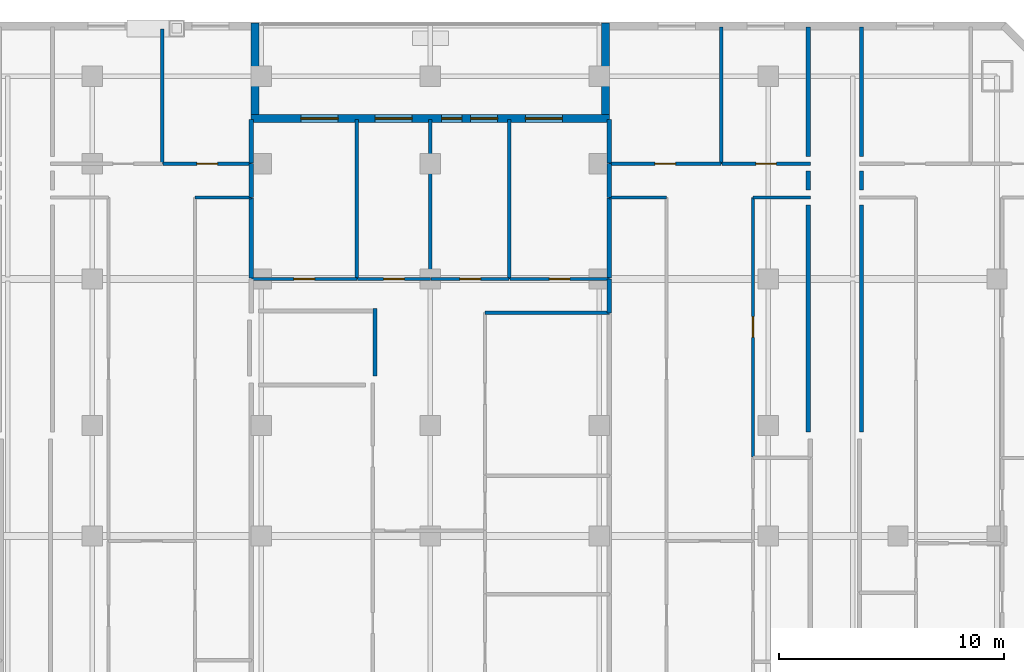
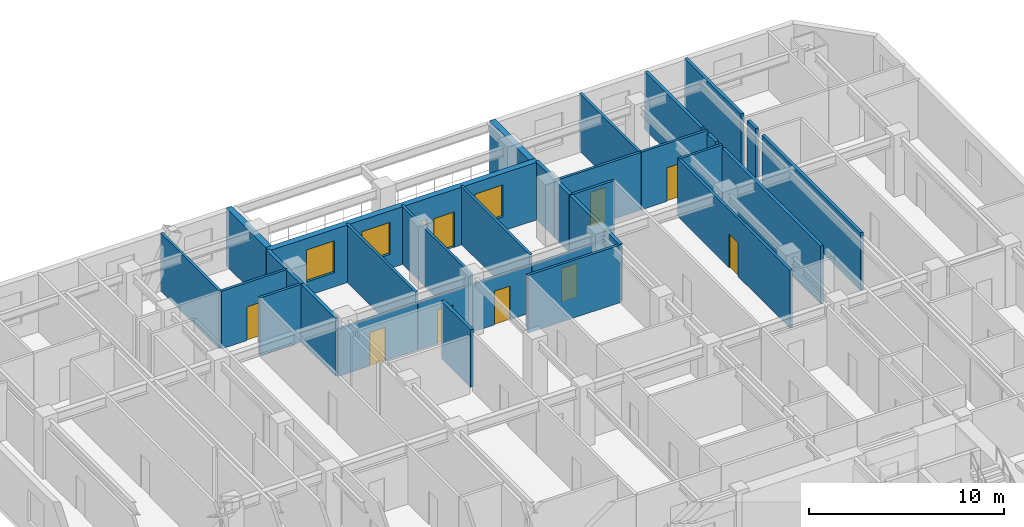
# One storey, part 8 of 10: 34 walls, 9 doors, 4 windows, 13 openings.
"""IFC4 building model written with IfcOpenShell, lengths in metres."""

from ifc_helpers import new_model, si_unit, direction, frame, frame_2d, origin, place, context, subcontext, project, spatial, rectangle, extrude, material, layer, layer_set, type_object, element, fill, save


model = new_model("IFC4")

# Units and contexts
model_context = context("Model", 3, precision=1e-05, world=origin(), true_north=direction((0.0, 1.0)))
body_context = subcontext(model_context, "Body", "Model", "MODEL_VIEW")
ifc_project = project(units=[si_unit("LENGTHUNIT", "METRE"), si_unit("AREAUNIT", "SQUARE_METRE"), si_unit("VOLUMEUNIT", "CUBIC_METRE"), si_unit("PLANEANGLEUNIT", "RADIAN"), si_unit("MASSUNIT", "GRAM", prefix="KILO")], contexts=[model_context])

# Site, building, storey
site_placement = place(None, origin())
site = spatial("IfcSite", under=ifc_project, at=site_placement, CompositionType="ELEMENT")
building_placement = place(site_placement, origin())
building = spatial("IfcBuilding", under=site, at=building_placement, Name="Ventersveld Concourse Tower", CompositionType="ELEMENT")
storey_placement = place(building_placement, frame((0.0, 0.0, 64.449951171875)))
storey = spatial("IfcBuildingStorey", under=building, at=storey_placement, Name="L15", CompositionType="ELEMENT", Elevation=64.449951171875)

# Walls
ifc_material_1 = material(Name="Fire-rated autoclaved aerated masonry blockwork", Category="masonry")
ifc_layer_1 = layer(ifc_material_1, 0.179931640625)
ifc_layer_set_1 = layer_set([ifc_layer_1], Name="Fire-rated autoclaved aerated masonry blockwork")
wall_type_1 = type_object("IfcWallType", Name="WL-CORR-180", PredefinedType="PARTITIONING", material=ifc_layer_set_1)
wall_1_placement = place(storey_placement, frame((47.8798828125, 38.945068359375, 0.0), z_axis=(0.0, 0.0, 1.0), x_axis=(0.0, 1.0, 0.0)))
element("IfcWall", 1, at=wall_1_placement, inside=storey, type_object=wall_type_1, Name="L15 Room Enclosure Wall SP-L15-15NE-LIV", PredefinedType="PARTITIONING", context=body_context, shape_type="SweptSolid", body=[
    extrude(rectangle(XDim=0.849853515625, YDim=0.179931640625, at=frame_2d((0.4248046875, 0.0))), origin(), (0.0, 0.0, 1.0), 3.60009765625),
])
wall_2_placement = place(storey_placement, frame((47.8798828125, 28.2099609375, 0.0), z_axis=(0.0, 0.0, 1.0), x_axis=(0.0, 1.0, 0.0)))
element("IfcWall", 2, at=wall_2_placement, inside=storey, type_object=wall_type_1, Name="L15 Room Enclosure Wall SP-L15-15NE-DENL", PredefinedType="PARTITIONING", context=body_context, shape_type="SweptSolid", body=[
    extrude(rectangle(XDim=10.0849609375, YDim=0.179931640625, at=frame_2d((5.04248046875, 0.0))), origin(), (0.0, 0.0, 1.0), 3.60009765625),
])
wall_3_placement = place(storey_placement, frame((47.8798828125, 40.445068359375, 0.0), z_axis=(0.0, 0.0, 1.0), x_axis=(0.0, 1.0, 0.0)))
element("IfcWall", 3, at=wall_3_placement, inside=storey, type_object=wall_type_1, Name="L15 Room Enclosure Wall SP-L15-15NE-BR1", PredefinedType="PARTITIONING", context=body_context, shape_type="SweptSolid", body=[
    extrude(rectangle(XDim=5.744873046875, YDim=0.179931640625, at=frame_2d((2.87255859375, 0.0))), origin(), (0.0, 0.0, 1.0), 3.60009765625),
])
wall_4_placement = place(storey_placement, frame((45.52001953125, 39.794921875, 0.0), z_axis=(0.0, 0.0, 1.0), x_axis=(0.0, -1.0, 0.0)))
element("IfcWall", 4, at=wall_4_placement, inside=storey, type_object=wall_type_1, Name="L15 Room Enclosure Wall SP-L15-15CE-LIV", PredefinedType="PARTITIONING", context=body_context, shape_type="SweptSolid", body=[
    extrude(rectangle(XDim=0.849853515625, YDim=0.179931640625, at=frame_2d((0.4248046875, 0.0))), origin(), (0.0, 0.0, 1.0), 3.60009765625),
])
wall_5_placement = place(storey_placement, frame((45.52001953125, 38.294921875, 0.0), z_axis=(0.0, 0.0, 1.0), x_axis=(0.0, -1.0, 0.0)))
element("IfcWall", 5, at=wall_5_placement, inside=storey, type_object=wall_type_1, Name="L15 Room Enclosure Wall SP-L15-15CE-DENS", PredefinedType="PARTITIONING", context=body_context, shape_type="SweptSolid", body=[
    extrude(rectangle(XDim=10.0849609375, YDim=0.179931640625, at=frame_2d((5.04248046875, 0.0))), origin(), (0.0, 0.0, 1.0), 3.60009765625),
])
wall_6_placement = place(storey_placement, frame((45.52001953125, 46.18994140625, 0.0), z_axis=(0.0, 0.0, 1.0), x_axis=(0.0, -1.0, 0.0)))
element("IfcWall", 6, at=wall_6_placement, inside=storey, type_object=wall_type_1, Name="L15 Room Enclosure Wall SP-L15-15CE-BR2", PredefinedType="PARTITIONING", context=body_context, shape_type="SweptSolid", body=[
    extrude(rectangle(XDim=5.744873046875, YDim=0.179931640625, at=frame_2d((2.87255859375, 0.0))), origin(), (0.0, 0.0, 1.0), 3.60009765625),
])
wall_7_placement = place(storey_placement, frame((26.28466796875, 30.7021484375, 0.0), z_axis=(0.0, 0.0, 1.0), x_axis=(0.0, 1.0, 0.0)))
element("IfcWall", 7, at=wall_7_placement, inside=storey, type_object=wall_type_1, Name="L15 Room Enclosure Wall SP-L15-15CM-LIV", PredefinedType="PARTITIONING", context=body_context, shape_type="SweptSolid", body=[
    extrude(rectangle(XDim=2.98291015625, YDim=0.179931640625, at=frame_2d((1.491455078125, 0.0))), origin(), (0.0, 0.0, 1.0), 3.60009765625),
])
ifc_layer_2 = layer(ifc_material_1, 0.199951171875)
ifc_layer_set_2 = layer_set([ifc_layer_2], Name="Fire-rated autoclaved aerated masonry blockwork")
wall_type_2 = type_object("IfcWallType", Name="WL-DEMISE-200", PredefinedType="PARTITIONING", material=ifc_layer_set_2)
wall_8_placement = place(storey_placement, frame((20.81005859375, 38.614990234375, 0.0), z_axis=(0.0, 0.0, 1.0), x_axis=(0.0, 1.0, 0.0)))
element("IfcWall", 8, at=wall_8_placement, inside=storey, type_object=wall_type_2, Name="L15 Interior Partition SP-L15-15CW-LIV-SP-L15-15CM-BR1", PredefinedType="PARTITIONING", context=body_context, shape_type="SweptSolid", body=[
    extrude(rectangle(XDim=1.510009765625, YDim=0.199951171875, at=frame_2d((0.7548828125, 0.0))), origin(), (0.0, 0.0, 1.0), 3.60009765625),
])
wall_9_placement = place(storey_placement, frame((20.81005859375, 35.034912109375, 0.0), z_axis=(0.0, 0.0, 1.0), x_axis=(0.0, 1.0, 0.0)))
element("IfcWall", 9, at=wall_9_placement, inside=storey, type_object=wall_type_2, Name="L15 Interior Partition SP-L15-15CW-DENR-SP-L15-15CM-BR1", PredefinedType="PARTITIONING", context=body_context, shape_type="SweptSolid", body=[
    extrude(rectangle(XDim=3.550048828125, YDim=0.199951171875, at=frame_2d((1.77490234375, 0.0))), origin(), (0.0, 0.0, 1.0), 3.60009765625),
])
wall_10_placement = place(storey_placement, frame((20.81005859375, 40.155029296875, 0.0), z_axis=(0.0, 0.0, 1.0), x_axis=(0.0, 1.0, 0.0)))
element("IfcWall", 10, at=wall_10_placement, inside=storey, type_object=wall_type_2, Name="L15 Interior Partition SP-L15-15CW-BR2-SP-L15-15CM-BR1", PredefinedType="PARTITIONING", context=body_context, shape_type="SweptSolid", body=[
    extrude(rectangle(XDim=1.93505859375, YDim=0.199951171875, at=frame_2d((0.967529296875, 0.0))), origin(), (0.0, 0.0, 1.0), 3.60009765625),
])
wall_11_placement = place(storey_placement, frame((36.68994140625, 38.614990234375, 0.0), z_axis=(0.0, 0.0, 1.0), x_axis=(0.0, 1.0, 0.0)))
element("IfcWall", 11, at=wall_11_placement, inside=storey, type_object=wall_type_2, Name="L15 Interior Partition SP-L15-15CE-LIV-SP-L15-15CM-BR4", PredefinedType="PARTITIONING", context=body_context, shape_type="SweptSolid", body=[
    extrude(rectangle(XDim=1.510009765625, YDim=0.199951171875, at=frame_2d((0.7548828125, 0.0))), origin(), (0.0, 0.0, 1.0), 3.60009765625),
])
wall_12_placement = place(storey_placement, frame((36.68994140625, 33.4951171875, 0.0), z_axis=(0.0, 0.0, 1.0), x_axis=(0.0, 1.0, 0.0)))
element("IfcWall", 12, at=wall_12_placement, inside=storey, type_object=wall_type_2, Name="L15 Interior Partition SP-L15-15CE-SEML0-SP-L15-15CM-LIV", PredefinedType="PARTITIONING", context=body_context, shape_type="SweptSolid", body=[
    extrude(rectangle(XDim=1.509765625, YDim=0.199951171875, at=frame_2d((0.7548828125, 0.0))), origin(), (0.0, 0.0, 1.0), 3.60009765625),
])
wall_13_placement = place(storey_placement, frame((36.68994140625, 35.034912109375, 0.0), z_axis=(0.0, 0.0, 1.0), x_axis=(0.0, 1.0, 0.0)))
element("IfcWall", 13, at=wall_13_placement, inside=storey, type_object=wall_type_2, Name="L15 Interior Partition SP-L15-15CE-SEML0-SP-L15-15CM-BR4", PredefinedType="PARTITIONING", context=body_context, shape_type="SweptSolid", body=[
    extrude(rectangle(XDim=3.550048828125, YDim=0.199951171875, at=frame_2d((1.77490234375, 0.0))), origin(), (0.0, 0.0, 1.0), 3.60009765625),
])
wall_14_placement = place(storey_placement, frame((36.68994140625, 40.155029296875, 0.0), z_axis=(0.0, 0.0, 1.0), x_axis=(0.0, 1.0, 0.0)))
element("IfcWall", 14, at=wall_14_placement, inside=storey, type_object=wall_type_2, Name="L15 Interior Partition SP-L15-15CE-BR1-SP-L15-15CM-BR4", PredefinedType="PARTITIONING", context=body_context, shape_type="SweptSolid", body=[
    extrude(rectangle(XDim=1.93505859375, YDim=0.199951171875, at=frame_2d((0.967529296875, 0.0))), origin(), (0.0, 0.0, 1.0), 3.60009765625),
])
ifc_material_2 = material(Name="Autoclaved aerated masonry blockwork", Category="masonry")
ifc_layer_3 = layer(ifc_material_2, 0.14990234375)
ifc_layer_set_3 = layer_set([ifc_layer_3], Name="Autoclaved aerated masonry blockwork")
wall_type_3 = type_object("IfcWallType", Name="WL-INT-150", PredefinedType="PARTITIONING", material=ifc_layer_set_3)
wall_15_placement = place(storey_placement, frame((18.301513671875, 38.6201171875, 0.0), z_axis=(0.0, 0.0, 1.0), x_axis=(1.0, 0.0, 0.0)))
element("IfcWall", 15, at=wall_15_placement, inside=storey, type_object=wall_type_3, Name="L15 Interior Partition SP-L15-15CW-LIV-SP-L15-15CW-DENR", PredefinedType="PARTITIONING", context=body_context, shape_type="SweptSolid", body=[
    extrude(rectangle(XDim=2.513427734375, YDim=0.14990234375, at=frame_2d((1.2568359375, 0.0))), origin(), (0.0, 0.0, 1.0), 3.60009765625),
])

# Wall, opening, door
wall_16_placement = place(storey_placement, frame((16.888427734375, 40.1201171875, 0.0), z_axis=(0.0, 0.0, 1.0), x_axis=(1.0, 0.0, 0.0)))
wall_16 = element("IfcWall", 16, at=wall_16_placement, inside=storey, type_object=wall_type_3, Name="L15 Interior Partition SP-L15-15CW-LIV-SP-L15-15CW-BR2", PredefinedType="PARTITIONING", context=body_context, shape_type="SweptSolid", body=[
    extrude(rectangle(XDim=3.926513671875, YDim=0.14990234375, at=frame_2d((1.96337890625, 0.0))), origin(), (0.0, 0.0, 1.0), 3.60009765625),
])
opening_1_placement = place(wall_16_placement, frame((1.50341796875, 0.0, 0.0)))
opening_1 = element("IfcOpeningElement", 17, at=opening_1_placement, cuts=wall_16, Name="Opening ID1", PredefinedType="OPENING", context=body_context, shape_type="SweptSolid", body=[
    extrude(rectangle(XDim=0.919921875, YDim=2.10009765625, at=frame_2d((0.4599609375, 1.050048828125))), frame((0.0, 0.0849609375, 0.0), z_axis=(0.0, -1.0, 0.0), x_axis=(1.0, 0.0, 0.0)), (0.0, 0.0, 1.0), 0.169921875),
])
ifc_material_3 = material(Name="Solid-core hardwood veneer timber", Category="wood")
door_type_1 = type_object("IfcDoorType", Name="DR-ROOM-092", OperationType="NOTDEFINED", PredefinedType="DOOR", material=ifc_material_3)
door_1_placement = place(opening_1_placement, origin())
door_1 = element("IfcDoor", 18, at=door_1_placement, inside=storey, type_object=door_type_1, Name="L15 Interior Door SP-L15-15CW-LIV to SP-L15-15CW-BR2 (D-L15-0691)", OperationType="SINGLE_SWING_LEFT", OverallHeight=2.10009765625, OverallWidth=0.919921875, PredefinedType="DOOR", context=body_context, shape_type="SweptSolid", body=[
    extrude(rectangle(XDim=0.919921875, YDim=2.10009765625, at=frame_2d((0.4599609375, 1.050048828125))), frame((0.0, 0.02490234375, 0.0), z_axis=(0.0, -1.0, 0.0), x_axis=(1.0, 0.0, 0.0)), (0.0, 0.0, 1.0), 0.050048828125),
])
fill(opening_1, door_1)

# Walls
wall_17_placement = place(storey_placement, frame((16.853515625, 40.114990234375, 0.0), z_axis=(0.0, 0.0, 1.0), x_axis=(0.0, 1.0, 0.0)))
element("IfcWall", 19, at=wall_17_placement, inside=storey, type_object=wall_type_3, Name="L15 Interior Partition SP-L15-15CW-BR1-SP-L15-15CW-BR2", PredefinedType="PARTITIONING", context=body_context, shape_type="SweptSolid", body=[
    extrude(rectangle(XDim=5.987060546875, YDim=0.14990234375, at=frame_2d((2.99365234375, 0.0))), origin(), (0.0, 0.0, 1.0), 3.60009765625),
])
wall_18_placement = place(storey_placement, frame((36.68505859375, 38.6201171875, 0.0), z_axis=(0.0, 0.0, 1.0), x_axis=(1.0, 0.0, 0.0)))
element("IfcWall", 20, at=wall_18_placement, inside=storey, type_object=wall_type_3, Name="L15 Interior Partition SP-L15-15CE-LIV-SP-L15-15CE-SEML0", PredefinedType="PARTITIONING", context=body_context, shape_type="SweptSolid", body=[
    extrude(rectangle(XDim=2.5498046875, YDim=0.14990234375, at=frame_2d((1.27490234375, 0.0))), origin(), (0.0, 0.0, 1.0), 3.60009765625),
])

# Wall, opening, door
wall_19_placement = place(storey_placement, frame((43.0703125, 27.107421875, 0.0), z_axis=(0.0, 0.0, 1.0), x_axis=(0.0, 1.0, 0.0)))
wall_19 = element("IfcWall", 21, at=wall_19_placement, inside=storey, type_object=wall_type_3, Name="L15 Interior Partition SP-L15-15CE-LIV-SP-L15-15CE-DENS", PredefinedType="PARTITIONING", context=body_context, shape_type="SweptSolid", body=[
    extrude(rectangle(XDim=11.517578125, YDim=0.14990234375, at=frame_2d((5.7587890625, 0.0))), origin(), (0.0, 0.0, 1.0), 3.60009765625),
])
opening_2_placement = place(wall_19_placement, frame((5.298828125, 0.0, 0.0)))
opening_2 = element("IfcOpeningElement", 22, at=opening_2_placement, cuts=wall_19, Name="Opening ID1", PredefinedType="OPENING", context=body_context, shape_type="SweptSolid", body=[
    extrude(rectangle(XDim=0.919921875, YDim=2.10009765625, at=frame_2d((0.4599609375, 1.050048828125))), frame((0.0, 0.0849609375, 0.0), z_axis=(0.0, -1.0, 0.0), x_axis=(1.0, 0.0, 0.0)), (0.0, 0.0, 1.0), 0.169921875),
])
door_2_placement = place(opening_2_placement, origin())
door_2 = element("IfcDoor", 23, at=door_2_placement, inside=storey, type_object=door_type_1, Name="L15 Interior Door SP-L15-15CE-LIV to SP-L15-15CE-DENS (D-L15-0699)", OperationType="SINGLE_SWING_LEFT", OverallHeight=2.10009765625, OverallWidth=0.919921875, PredefinedType="DOOR", context=body_context, shape_type="SweptSolid", body=[
    extrude(rectangle(XDim=0.919921875, YDim=2.10009765625, at=frame_2d((0.4599609375, 1.050048828125))), frame((0.0, 0.02490234375, 0.0), z_axis=(0.0, -1.0, 0.0), x_axis=(1.0, 0.0, 0.0)), (0.0, 0.0, 1.0), 0.050048828125),
])
fill(opening_2, door_2)

# Wall
wall_20_placement = place(storey_placement, frame((43.065185546875, 38.6201171875, 0.0), z_axis=(0.0, 0.0, 1.0), x_axis=(1.0, 0.0, 0.0)))
element("IfcWall", 24, at=wall_20_placement, inside=storey, type_object=wall_type_3, Name="L15 Interior Partition SP-L15-15CE-LIV-SP-L15-15CE-DENS", PredefinedType="PARTITIONING", context=body_context, shape_type="SweptSolid", body=[
    extrude(rectangle(XDim=2.5498046875, YDim=0.14990234375, at=frame_2d((1.27490234375, 0.0))), origin(), (0.0, 0.0, 1.0), 3.60009765625),
])

# Wall, opening, door
wall_21_placement = place(storey_placement, frame((36.68505859375, 40.1201171875, 0.0), z_axis=(0.0, 0.0, 1.0), x_axis=(1.0, 0.0, 0.0)))
wall_21 = element("IfcWall", 25, at=wall_21_placement, inside=storey, type_object=wall_type_3, Name="L15 Interior Partition SP-L15-15CE-LIV-SP-L15-15CE-BR1", PredefinedType="PARTITIONING", context=body_context, shape_type="SweptSolid", body=[
    extrude(rectangle(XDim=4.973388671875, YDim=0.14990234375, at=frame_2d((2.48681640625, 0.0))), origin(), (0.0, 0.0, 1.0), 3.60009765625),
])
opening_3_placement = place(wall_21_placement, frame((2.026611328125, 0.0, 0.0)))
opening_3 = element("IfcOpeningElement", 26, at=opening_3_placement, cuts=wall_21, Name="Opening ID1", PredefinedType="OPENING", context=body_context, shape_type="SweptSolid", body=[
    extrude(rectangle(XDim=0.919921875, YDim=2.10009765625, at=frame_2d((0.4599609375, 1.050048828125))), frame((0.0, 0.0849609375, 0.0), z_axis=(0.0, -1.0, 0.0), x_axis=(1.0, 0.0, 0.0)), (0.0, 0.0, 1.0), 0.169921875),
])
door_3_placement = place(opening_3_placement, origin())
door_3 = element("IfcDoor", 27, at=door_3_placement, inside=storey, type_object=door_type_1, Name="L15 Interior Door SP-L15-15CE-LIV to SP-L15-15CE-BR1 (D-L15-0700)", OperationType="SINGLE_SWING_RIGHT", OverallHeight=2.10009765625, OverallWidth=0.919921875, PredefinedType="DOOR", context=body_context, shape_type="SweptSolid", body=[
    extrude(rectangle(XDim=0.919921875, YDim=2.10009765625, at=frame_2d((0.4599609375, 1.050048828125))), frame((0.0, 0.02490234375, 0.0), z_axis=(0.0, -1.0, 0.0), x_axis=(1.0, 0.0, 0.0)), (0.0, 0.0, 1.0), 0.050048828125),
])
fill(opening_3, door_3)

wall_22_placement = place(storey_placement, frame((41.6884765625, 40.1201171875, 0.0), z_axis=(0.0, 0.0, 1.0), x_axis=(1.0, 0.0, 0.0)))
wall_22 = element("IfcWall", 28, at=wall_22_placement, inside=storey, type_object=wall_type_3, Name="L15 Interior Partition SP-L15-15CE-LIV-SP-L15-15CE-BR2", PredefinedType="PARTITIONING", context=body_context, shape_type="SweptSolid", body=[
    extrude(rectangle(XDim=3.926513671875, YDim=0.14990234375, at=frame_2d((1.96337890625, 0.0))), origin(), (0.0, 0.0, 1.0), 3.60009765625),
])
opening_4_placement = place(wall_22_placement, frame((1.50341796875, 0.0, 0.0)))
opening_4 = element("IfcOpeningElement", 29, at=opening_4_placement, cuts=wall_22, Name="Opening ID1", PredefinedType="OPENING", context=body_context, shape_type="SweptSolid", body=[
    extrude(rectangle(XDim=0.919921875, YDim=2.10009765625, at=frame_2d((0.4599609375, 1.050048828125))), frame((0.0, 0.0849609375, 0.0), z_axis=(0.0, -1.0, 0.0), x_axis=(1.0, 0.0, 0.0)), (0.0, 0.0, 1.0), 0.169921875),
])
door_4_placement = place(opening_4_placement, origin())
door_4 = element("IfcDoor", 30, at=door_4_placement, inside=storey, type_object=door_type_1, Name="L15 Interior Door SP-L15-15CE-LIV to SP-L15-15CE-BR2 (D-L15-0701)", OperationType="SINGLE_SWING_LEFT", OverallHeight=2.10009765625, OverallWidth=0.919921875, PredefinedType="DOOR", context=body_context, shape_type="SweptSolid", body=[
    extrude(rectangle(XDim=0.919921875, YDim=2.10009765625, at=frame_2d((0.4599609375, 1.050048828125))), frame((0.0, 0.02490234375, 0.0), z_axis=(0.0, -1.0, 0.0), x_axis=(1.0, 0.0, 0.0)), (0.0, 0.0, 1.0), 0.050048828125),
])
fill(opening_4, door_4)

# Walls
wall_23_placement = place(storey_placement, frame((41.653564453125, 40.114990234375, 0.0), z_axis=(0.0, 0.0, 1.0), x_axis=(0.0, 1.0, 0.0)))
element("IfcWall", 31, at=wall_23_placement, inside=storey, type_object=wall_type_3, Name="L15 Interior Partition SP-L15-15CE-BR1-SP-L15-15CE-BR2", PredefinedType="PARTITIONING", context=body_context, shape_type="SweptSolid", body=[
    extrude(rectangle(XDim=6.074951171875, YDim=0.14990234375, at=frame_2d((3.03759765625, 0.0))), origin(), (0.0, 0.0, 1.0), 3.60009765625),
])
wall_24_placement = place(storey_placement, frame((31.169677734375, 33.5, 0.0), z_axis=(0.0, 0.0, 1.0), x_axis=(1.0, 0.0, 0.0)))
element("IfcWall", 32, at=wall_24_placement, inside=storey, type_object=wall_type_3, Name="L15 Interior Partition SP-L15-15CM-LIV-SP-L15-15CM-DENS2", PredefinedType="PARTITIONING", context=body_context, shape_type="SweptSolid", body=[
    extrude(rectangle(XDim=5.525390625, YDim=0.14990234375, at=frame_2d((2.7626953125, 0.0))), origin(), (0.0, 0.0, 1.0), 3.60009765625),
])

# Wall, opening, door
wall_25_placement = place(storey_placement, frame((20.804931640625, 35.0, 0.0), z_axis=(0.0, 0.0, 1.0), x_axis=(1.0, 0.0, 0.0)))
wall_25 = element("IfcWall", 33, at=wall_25_placement, inside=storey, type_object=wall_type_3, Name="L15 Interior Partition SP-L15-15CM-LIV-SP-L15-15CM-BR1", PredefinedType="PARTITIONING", context=body_context, shape_type="SweptSolid", body=[
    extrude(rectangle(XDim=4.690673828125, YDim=0.14990234375, at=frame_2d((2.34521484375, 0.0))), origin(), (0.0, 0.0, 1.0), 2.96435546875),
])
opening_5_placement = place(wall_25_placement, frame((1.88525390625, 0.0, 0.0)))
opening_5 = element("IfcOpeningElement", 34, at=opening_5_placement, cuts=wall_25, Name="Opening ID1", PredefinedType="OPENING", context=body_context, shape_type="SweptSolid", body=[
    extrude(rectangle(XDim=0.919921875, YDim=2.10009765625, at=frame_2d((0.4599609375, 1.050048828125))), frame((0.0, 0.0849609375, 0.0), z_axis=(0.0, -1.0, 0.0), x_axis=(1.0, 0.0, 0.0)), (0.0, 0.0, 1.0), 0.169921875),
])
door_5_placement = place(opening_5_placement, origin())
door_5 = element("IfcDoor", 35, at=door_5_placement, inside=storey, type_object=door_type_1, Name="L15 Interior Door SP-L15-15CM-LIV to SP-L15-15CM-BR1 (D-L15-0711)", OperationType="SINGLE_SWING_LEFT", OverallHeight=2.10009765625, OverallWidth=0.919921875, PredefinedType="DOOR", context=body_context, shape_type="SweptSolid", body=[
    extrude(rectangle(XDim=0.919921875, YDim=2.10009765625, at=frame_2d((0.4599609375, 1.050048828125))), frame((0.0, 0.02490234375, 0.0), z_axis=(0.0, -1.0, 0.0), x_axis=(1.0, 0.0, 0.0)), (0.0, 0.0, 1.0), 0.050048828125),
])
fill(opening_5, door_5)

wall_26_placement = place(storey_placement, frame((25.525634765625, 35.0, 0.0), z_axis=(0.0, 0.0, 1.0), x_axis=(1.0, 0.0, 0.0)))
wall_26 = element("IfcWall", 36, at=wall_26_placement, inside=storey, type_object=wall_type_3, Name="L15 Interior Partition SP-L15-15CM-LIV-SP-L15-15CM-BR2", PredefinedType="PARTITIONING", context=body_context, shape_type="SweptSolid", body=[
    extrude(rectangle(XDim=3.229248046875, YDim=0.14990234375, at=frame_2d((1.61474609375, 0.0))), origin(), (0.0, 0.0, 1.0), 2.96435546875),
])
opening_6_placement = place(wall_26_placement, frame((1.15478515625, 0.0, 0.0)))
opening_6 = element("IfcOpeningElement", 37, at=opening_6_placement, cuts=wall_26, Name="Opening ID1", PredefinedType="OPENING", context=body_context, shape_type="SweptSolid", body=[
    extrude(rectangle(XDim=0.919921875, YDim=2.10009765625, at=frame_2d((0.4599609375, 1.050048828125))), frame((0.0, 0.0849609375, 0.0), z_axis=(0.0, -1.0, 0.0), x_axis=(1.0, 0.0, 0.0)), (0.0, 0.0, 1.0), 0.169921875),
])
door_6_placement = place(opening_6_placement, origin())
door_6 = element("IfcDoor", 38, at=door_6_placement, inside=storey, type_object=door_type_1, Name="L15 Interior Door SP-L15-15CM-LIV to SP-L15-15CM-BR2 (D-L15-0712)", OperationType="SINGLE_SWING_RIGHT", OverallHeight=2.10009765625, OverallWidth=0.919921875, PredefinedType="DOOR", context=body_context, shape_type="SweptSolid", body=[
    extrude(rectangle(XDim=0.919921875, YDim=2.10009765625, at=frame_2d((0.4599609375, 1.050048828125))), frame((0.0, 0.02490234375, 0.0), z_axis=(0.0, -1.0, 0.0), x_axis=(1.0, 0.0, 0.0)), (0.0, 0.0, 1.0), 0.050048828125),
])
fill(opening_6, door_6)

wall_27_placement = place(storey_placement, frame((28.784912109375, 35.0, 0.0), z_axis=(0.0, 0.0, 1.0), x_axis=(1.0, 0.0, 0.0)))
wall_27 = element("IfcWall", 39, at=wall_27_placement, inside=storey, type_object=wall_type_3, Name="L15 Interior Partition SP-L15-15CM-LIV-SP-L15-15CM-BR3", PredefinedType="PARTITIONING", context=body_context, shape_type="SweptSolid", body=[
    extrude(rectangle(XDim=3.46630859375, YDim=0.14990234375, at=frame_2d((1.733154296875, 0.0))), origin(), (0.0, 0.0, 1.0), 2.96435546875),
])
opening_7_placement = place(wall_27_placement, frame((1.273193359375, 0.0, 0.0)))
opening_7 = element("IfcOpeningElement", 40, at=opening_7_placement, cuts=wall_27, Name="Opening ID1", PredefinedType="OPENING", context=body_context, shape_type="SweptSolid", body=[
    extrude(rectangle(XDim=0.919921875, YDim=2.10009765625, at=frame_2d((0.4599609375, 1.050048828125))), frame((0.0, 0.0849609375, 0.0), z_axis=(0.0, -1.0, 0.0), x_axis=(1.0, 0.0, 0.0)), (0.0, 0.0, 1.0), 0.169921875),
])
door_7_placement = place(opening_7_placement, origin())
door_7 = element("IfcDoor", 41, at=door_7_placement, inside=storey, type_object=door_type_1, Name="L15 Interior Door SP-L15-15CM-LIV to SP-L15-15CM-BR3 (D-L15-0713)", OperationType="SINGLE_SWING_LEFT", OverallHeight=2.10009765625, OverallWidth=0.919921875, PredefinedType="DOOR", context=body_context, shape_type="SweptSolid", body=[
    extrude(rectangle(XDim=0.919921875, YDim=2.10009765625, at=frame_2d((0.4599609375, 1.050048828125))), frame((0.0, 0.02490234375, 0.0), z_axis=(0.0, -1.0, 0.0), x_axis=(1.0, 0.0, 0.0)), (0.0, 0.0, 1.0), 0.050048828125),
])
fill(opening_7, door_7)

wall_28_placement = place(storey_placement, frame((32.28125, 35.0, 0.0), z_axis=(0.0, 0.0, 1.0), x_axis=(1.0, 0.0, 0.0)))
wall_28 = element("IfcWall", 42, at=wall_28_placement, inside=storey, type_object=wall_type_3, Name="L15 Interior Partition SP-L15-15CM-LIV-SP-L15-15CM-BR4", PredefinedType="PARTITIONING", context=body_context, shape_type="SweptSolid", body=[
    extrude(rectangle(XDim=4.413818359375, YDim=0.14990234375, at=frame_2d((2.20703125, 0.0))), origin(), (0.0, 0.0, 1.0), 2.96435546875),
])
opening_8_placement = place(wall_28_placement, frame((1.746826171875, 0.0, 0.0)))
opening_8 = element("IfcOpeningElement", 43, at=opening_8_placement, cuts=wall_28, Name="Opening ID1", PredefinedType="OPENING", context=body_context, shape_type="SweptSolid", body=[
    extrude(rectangle(XDim=0.919921875, YDim=2.10009765625, at=frame_2d((0.4599609375, 1.050048828125))), frame((0.0, 0.0849609375, 0.0), z_axis=(0.0, -1.0, 0.0), x_axis=(1.0, 0.0, 0.0)), (0.0, 0.0, 1.0), 0.169921875),
])
door_8_placement = place(opening_8_placement, origin())
door_8 = element("IfcDoor", 44, at=door_8_placement, inside=storey, type_object=door_type_1, Name="L15 Interior Door SP-L15-15CM-LIV to SP-L15-15CM-BR4 (D-L15-0714)", OperationType="SINGLE_SWING_RIGHT", OverallHeight=2.10009765625, OverallWidth=0.919921875, PredefinedType="DOOR", context=body_context, shape_type="SweptSolid", body=[
    extrude(rectangle(XDim=0.919921875, YDim=2.10009765625, at=frame_2d((0.4599609375, 1.050048828125))), frame((0.0, 0.02490234375, 0.0), z_axis=(0.0, -1.0, 0.0), x_axis=(1.0, 0.0, 0.0)), (0.0, 0.0, 1.0), 0.050048828125),
])
fill(opening_8, door_8)

# Walls
for number, where, z_axis, x_axis, name in (
    (45, (25.490478515625, 34.9951171875, 0.0), (0.0, 0.0, 1.0), (0.0, 1.0, 0.0), "L15 Interior Partition SP-L15-15CM-BR1-SP-L15-15CM-BR2"),
    (46, (28.75, 34.9951171875, 0.0), (0.0, 0.0, 1.0), (0.0, 1.0, 0.0), "L15 Interior Partition SP-L15-15CM-BR2-SP-L15-15CM-BR3"),
    (47, (32.24609375, 34.9951171875, 0.0), (0.0, 0.0, 1.0), (0.0, 1.0, 0.0), "L15 Interior Partition SP-L15-15CM-BR3-SP-L15-15CM-BR4"),
):
    element("IfcWall", number, at=place(storey_placement, frame(where, z_axis=z_axis, x_axis=x_axis)), inside=storey, type_object=wall_type_3, Name=name, PredefinedType="PARTITIONING", context=body_context, shape_type="SweptSolid", body=[
        extrude(rectangle(XDim=7.094970703125, YDim=0.14990234375, at=frame_2d((3.54736328125, 0.0))), origin(), (0.0, 0.0, 1.0), 3.60009765625),
    ])
ifc_material_4 = material(Name="Precast concrete C45/55", Category="concrete")
ifc_layer_4 = layer(ifc_material_4, 0.35009765625)
ifc_layer_set_4 = layer_set([ifc_layer_4], Name="Precast concrete C45/55")
wall_type_4 = type_object("IfcWallType", Name="WL-PREC-350", PredefinedType="SOLIDWALL", material=ifc_layer_set_4)
wall_29_placement = place(storey_placement, frame((36.52490234375, 46.360107421875, 0.0), z_axis=(0.0, 0.0, 1.0), x_axis=(0.0, -1.0, 0.0)))
element("IfcWall", 48, at=wall_29_placement, inside=storey, type_object=wall_type_4, Name="L15 Highveld Precast Facade Wall E06", PredefinedType="SOLIDWALL", context=body_context, shape_type="SweptSolid", body=[
    extrude(rectangle(XDim=4.06005859375, YDim=0.35009765625, at=frame_2d((2.030029296875, 0.0))), origin(), (0.0, 0.0, 1.0), 3.60009765625),
])

# Wall, openings, door, windows
wall_30_placement = place(storey_placement, frame((36.699951171875, 42.125, 0.0), z_axis=(0.0, 0.0, 1.0), x_axis=(-1.0, 0.0, 0.0)))
wall_30 = element("IfcWall", 49, at=wall_30_placement, inside=storey, type_object=wall_type_4, Name="L15 Highveld Precast Facade Wall E07", PredefinedType="SOLIDWALL", context=body_context, shape_type="SweptSolid", body=[
    extrude(rectangle(XDim=15.89990234375, YDim=0.35009765625, at=frame_2d((7.949951171875, 0.0))), origin(), (0.0, 0.0, 1.0), 3.60009765625),
])
opening_9_placement = place(wall_30_placement, frame((4.965087890625, 0.0, 0.0)))
opening_9 = element("IfcOpeningElement", 50, at=opening_9_placement, cuts=wall_30, Name="Opening TD1", PredefinedType="OPENING", context=body_context, shape_type="SweptSolid", body=[
    extrude(rectangle(XDim=1.199951171875, YDim=2.199951171875, at=frame_2d((0.60009765625, 1.10009765625))), frame((0.0, 0.18505859375, 0.0), z_axis=(0.0, -1.0, 0.0), x_axis=(1.0, 0.0, 0.0)), (0.0, 0.0, 1.0), 0.3701171875),
])
opening_10_placement = place(wall_30_placement, frame((12.046142578125, 0.0, 0.8798828125)))
opening_10 = element("IfcOpeningElement", 51, at=opening_10_placement, cuts=wall_30, Name="Opening W6", PredefinedType="OPENING", context=body_context, shape_type="SweptSolid", body=[
    extrude(rectangle(XDim=1.64990234375, YDim=2.0, at=frame_2d((0.824951171875, 1.0))), frame((0.0, 0.18505859375, 0.0), z_axis=(0.0, -1.0, 0.0), x_axis=(1.0, 0.0, 0.0)), (0.0, 0.0, 1.0), 0.3701171875),
])
opening_11_placement = place(wall_30_placement, frame((8.754638671875, 0.0, 0.8798828125)))
opening_11 = element("IfcOpeningElement", 52, at=opening_11_placement, cuts=wall_30, Name="Opening W6", PredefinedType="OPENING", context=body_context, shape_type="SweptSolid", body=[
    extrude(rectangle(XDim=1.64990234375, YDim=2.0, at=frame_2d((0.824951171875, 1.0))), frame((0.0, 0.18505859375, 0.0), z_axis=(0.0, -1.0, 0.0), x_axis=(1.0, 0.0, 0.0)), (0.0, 0.0, 1.0), 0.3701171875),
])
opening_12_placement = place(wall_30_placement, frame((6.5478515625, 0.0, 0.89990234375)))
opening_12 = element("IfcOpeningElement", 53, at=opening_12_placement, cuts=wall_30, Name="Opening W8", PredefinedType="OPENING", context=body_context, shape_type="SweptSolid", body=[
    extrude(rectangle(XDim=0.89990234375, YDim=1.39990234375, at=frame_2d((0.449951171875, 0.699951171875))), frame((0.0, 0.18505859375, 0.0), z_axis=(0.0, -1.0, 0.0), x_axis=(1.0, 0.0, 0.0)), (0.0, 0.0, 1.0), 0.3701171875),
])
opening_13_placement = place(wall_30_placement, frame((2.08544921875, 0.0, 0.8798828125)))
opening_13 = element("IfcOpeningElement", 54, at=opening_13_placement, cuts=wall_30, Name="Opening W6", PredefinedType="OPENING", context=body_context, shape_type="SweptSolid", body=[
    extrude(rectangle(XDim=1.64990234375, YDim=2.0, at=frame_2d((0.824951171875, 1.0))), frame((0.0, 0.18505859375, 0.0), z_axis=(0.0, -1.0, 0.0), x_axis=(1.0, 0.0, 0.0)), (0.0, 0.0, 1.0), 0.3701171875),
])
ifc_material_5 = material(Name="Anodised aluminium EN AW-6063-T6", Category="aluminium")
door_type_2 = type_object("IfcDoorType", Name="DR-TERR-120", OperationType="NOTDEFINED", PredefinedType="DOOR", material=ifc_material_5)
door_9_placement = place(opening_9_placement, frame((1.199951171875, 0.0, 0.0), z_axis=(0.0, 0.0, 1.0), x_axis=(-1.0, 0.0, 0.0)))
door_9 = element("IfcDoor", 55, at=door_9_placement, inside=storey, type_object=door_type_2, Name="L15 Stepped Valley Terrace Door TD-L15-01", OperationType="SINGLE_SWING_RIGHT", OverallHeight=2.199951171875, OverallWidth=1.199951171875, PredefinedType="DOOR", context=body_context, shape_type="SweptSolid", body=[
    extrude(rectangle(XDim=1.199951171875, YDim=2.199951171875, at=frame_2d((0.60009765625, 1.10009765625))), frame((0.0, 0.02490234375, 0.0), z_axis=(0.0, -1.0, 0.0), x_axis=(1.0, 0.0, 0.0)), (0.0, 0.0, 1.0), 0.050048828125),
])
fill(opening_9, door_9)
ifc_material_6 = material(Name="Tempered acoustic Low-E IGU", Category="glass")
window_type_1 = type_object("IfcWindowType", Name="WIN-090x140", PartitioningType="SINGLE_PANEL", PredefinedType="WINDOW", material=ifc_material_6)
window_1_placement = place(opening_12_placement, origin())
window_1 = element("IfcWindow", 56, at=window_1_placement, inside=storey, type_object=window_type_1, Name="L15 Punched Low-E Window W-0142", OverallHeight=1.39990234375, OverallWidth=0.89990234375, PartitioningType="SINGLE_PANEL", PredefinedType="WINDOW", context=body_context, shape_type="SweptSolid", body=[
    extrude(rectangle(XDim=0.89990234375, YDim=1.39990234375, at=frame_2d((0.449951171875, 0.699951171875))), frame((0.0, 0.030029296875, 0.0), z_axis=(0.0, -1.0, 0.0), x_axis=(1.0, 0.0, 0.0)), (0.0, 0.0, 1.0), 0.06005859375),
])
fill(opening_12, window_1)
window_type_2 = type_object("IfcWindowType", Name="WIN-165x200", PartitioningType="SINGLE_PANEL", PredefinedType="WINDOW", material=ifc_material_6)
window_2_placement = place(opening_10_placement, origin())
window_2 = element("IfcWindow", 57, at=window_2_placement, inside=storey, type_object=window_type_2, Name="L15 Punched Low-E Window W-0140", OverallHeight=2.0, OverallWidth=1.64990234375, PartitioningType="SINGLE_PANEL", PredefinedType="WINDOW", context=body_context, shape_type="SweptSolid", body=[
    extrude(rectangle(XDim=1.64990234375, YDim=2.0, at=frame_2d((0.824951171875, 1.0))), frame((0.0, 0.030029296875, 0.0), z_axis=(0.0, -1.0, 0.0), x_axis=(1.0, 0.0, 0.0)), (0.0, 0.0, 1.0), 0.06005859375),
])
fill(opening_10, window_2)
window_3_placement = place(opening_11_placement, origin())
window_3 = element("IfcWindow", 58, at=window_3_placement, inside=storey, type_object=window_type_2, Name="L15 Punched Low-E Window W-0141", OverallHeight=2.0, OverallWidth=1.64990234375, PartitioningType="SINGLE_PANEL", PredefinedType="WINDOW", context=body_context, shape_type="SweptSolid", body=[
    extrude(rectangle(XDim=1.64990234375, YDim=2.0, at=frame_2d((0.824951171875, 1.0))), frame((0.0, 0.030029296875, 0.0), z_axis=(0.0, -1.0, 0.0), x_axis=(1.0, 0.0, 0.0)), (0.0, 0.0, 1.0), 0.06005859375),
])
fill(opening_11, window_3)
window_4_placement = place(opening_13_placement, origin())
window_4 = element("IfcWindow", 59, at=window_4_placement, inside=storey, type_object=window_type_2, Name="L15 Punched Low-E Window W-0143", OverallHeight=2.0, OverallWidth=1.64990234375, PartitioningType="SINGLE_PANEL", PredefinedType="WINDOW", context=body_context, shape_type="SweptSolid", body=[
    extrude(rectangle(XDim=1.64990234375, YDim=2.0, at=frame_2d((0.824951171875, 1.0))), frame((0.0, 0.030029296875, 0.0), z_axis=(0.0, -1.0, 0.0), x_axis=(1.0, 0.0, 0.0)), (0.0, 0.0, 1.0), 0.06005859375),
])
fill(opening_13, window_4)

# Wall
wall_31_placement = place(storey_placement, frame((20.97509765625, 42.300048828125, 0.0), z_axis=(0.0, 0.0, 1.0), x_axis=(0.0, 1.0, 0.0)))
element("IfcWall", 60, at=wall_31_placement, inside=storey, type_object=wall_type_4, Name="L15 Highveld Precast Facade Wall E08", PredefinedType="SOLIDWALL", context=body_context, shape_type="SweptSolid", body=[
    extrude(rectangle(XDim=4.06005859375, YDim=0.35009765625, at=frame_2d((2.030029296875, 0.0))), origin(), (0.0, 0.0, 1.0), 3.60009765625),
])

save(model, "model.ifc")
